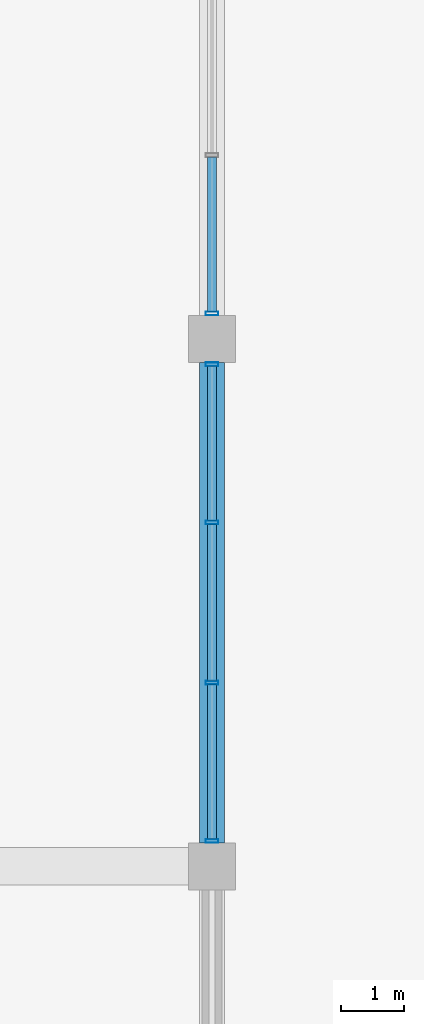
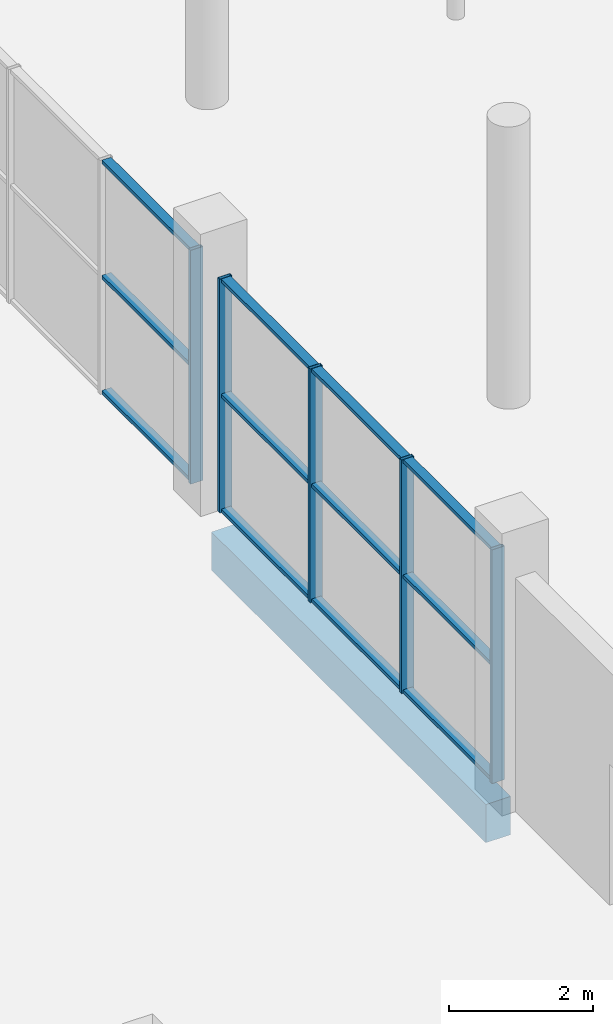
# One storey, part 51 of 130: 17 members, 1 beam, 2 elements without a shape of their own.
"""IFC4 building model written with IfcOpenShell, lengths in metres."""

from ifc_helpers import new_model, si_unit, direction, frame, origin, origin_2d, place, context, subcontext, project, spatial, rectangle, hollow_rectangle, extrude, material, material_profile, profile_set, type_object, element, aggregate, save


model = new_model("IFC4")

# Units and contexts
model_context = context("Model", 3, precision=1e-05, world=origin(), true_north=direction((0.0, 1.0)))
body_context = subcontext(model_context, "Body", "Model", "MODEL_VIEW")
ifc_project = project(units=[si_unit("LENGTHUNIT", "METRE"), si_unit("AREAUNIT", "SQUARE_METRE"), si_unit("VOLUMEUNIT", "CUBIC_METRE"), si_unit("PLANEANGLEUNIT", "RADIAN"), si_unit("MASSUNIT", "GRAM", prefix="KILO"), si_unit("THERMODYNAMICTEMPERATUREUNIT", "KELVIN")], contexts=[model_context])

# Site, building, storey
site_placement = place(None, origin())
site = spatial("IfcSite", under=ifc_project, at=site_placement, CompositionType="ELEMENT")
building_placement = place(site_placement, origin())
building = spatial("IfcBuilding", under=site, at=building_placement, Name="Nduvali Passage Aquatics Centre", CompositionType="ELEMENT")
storey_placement = place(building_placement, origin())
storey = spatial("IfcBuildingStorey", under=building, at=storey_placement, Name="L00", CompositionType="ELEMENT", Elevation=0.0)

# Curtain wall, members
ifc_material_1 = material(Name="Aluminium EN AW-6063 T6", Category="aluminium")
curtain_wall_type = type_object("IfcCurtainWallType", Name="ENV-CW-HALL", PredefinedType="NOTDEFINED", material=ifc_material_1)
curtain_wall_1_placement = place(storey_placement, origin())
curtain_wall_1 = element("IfcCurtainWall", 1, at=curtain_wall_1_placement, inside=storey, type_object=curtain_wall_type, Name="L00 East Passage Pool Hall Lower Glazing 033", PredefinedType="NOTDEFINED")
ifc_material_profile_1 = material_profile(ifc_material_1, hollow_rectangle(XDim=0.06005859375, YDim=0.199951171875, WallThickness=0.00390625, at=origin_2d()), Name="ALU MULLION 60x200x4")
ifc_profile_set_1 = profile_set([ifc_material_profile_1], Name="Aluminium EN AW-6063 T6")
member_type_1 = type_object("IfcMemberType", Name="ENV-MEM-MUL80", PredefinedType="MULLION", material=ifc_profile_set_1)
member_1_placement = place(storey_placement, frame((126.0, 67.60498046875, 0.0), z_axis=(0.0, 0.0, 1.0), x_axis=(0.0, 1.0, 0.0)))
member_1 = element("IfcMember", 2, at=member_1_placement, type_object=member_type_1, Name="East Passage Pool Hall Lower Glazing Mullion 1", PredefinedType="MULLION", context=body_context, shape_type="SweptSolid", body=[
    extrude(hollow_rectangle(XDim=0.06005859375, YDim=0.199951171875, WallThickness=0.00390625, at=origin_2d()), origin(), (0.0, 0.0, 1.0), 3.976318359375),
])
member_2_placement = place(storey_placement, frame((126.0, 70.125, 0.0), z_axis=(0.0, 0.0, 1.0), x_axis=(0.0, 1.0, 0.0)))
member_2 = element("IfcMember", 3, at=member_2_placement, type_object=member_type_1, Name="East Passage Pool Hall Lower Glazing Mullion 2", PredefinedType="MULLION", context=body_context, shape_type="SweptSolid", body=[
    extrude(hollow_rectangle(XDim=0.06005859375, YDim=0.199951171875, WallThickness=0.00390625, at=origin_2d()), origin(), (0.0, 0.0, 1.0), 3.976318359375),
])
member_3_placement = place(storey_placement, frame((126.0, 72.675048828125, 0.0), z_axis=(0.0, 0.0, 1.0), x_axis=(0.0, 1.0, 0.0)))
member_3 = element("IfcMember", 4, at=member_3_placement, type_object=member_type_1, Name="East Passage Pool Hall Lower Glazing Mullion 3", PredefinedType="MULLION", context=body_context, shape_type="SweptSolid", body=[
    extrude(hollow_rectangle(XDim=0.06005859375, YDim=0.199951171875, WallThickness=0.00390625, at=origin_2d()), origin(), (0.0, 0.0, 1.0), 3.976318359375),
])
member_4_placement = place(storey_placement, frame((126.0, 75.195068359375, 0.0), z_axis=(0.0, 0.0, 1.0), x_axis=(0.0, 1.0, 0.0)))
member_4 = element("IfcMember", 5, at=member_4_placement, type_object=member_type_1, Name="East Passage Pool Hall Lower Glazing Mullion 4", PredefinedType="MULLION", context=body_context, shape_type="SweptSolid", body=[
    extrude(hollow_rectangle(XDim=0.06005859375, YDim=0.199951171875, WallThickness=0.00390625, at=origin_2d()), origin(), (0.0, 0.0, 1.0), 3.976318359375),
])

# Curtain wall, member
curtain_wall_2_placement = place(storey_placement, origin())
curtain_wall_2 = element("IfcCurtainWall", 6, at=curtain_wall_2_placement, inside=storey, type_object=curtain_wall_type, Name="L00 East Passage Pool Hall Lower Glazing 037", PredefinedType="NOTDEFINED")
member_5_placement = place(storey_placement, frame((126.0, 76.0048828125, 0.0), z_axis=(0.0, 0.0, 1.0), x_axis=(0.0, 1.0, 0.0)))
member_5 = element("IfcMember", 7, at=member_5_placement, type_object=member_type_1, Name="East Passage Pool Hall Lower Glazing Mullion 1", PredefinedType="MULLION", context=body_context, shape_type="SweptSolid", body=[
    extrude(hollow_rectangle(XDim=0.06005859375, YDim=0.199951171875, WallThickness=0.00390625, at=origin_2d()), origin(), (0.0, 0.0, 1.0), 3.976318359375),
])

# Member
ifc_material_profile_2 = material_profile(ifc_material_1, hollow_rectangle(XDim=0.14990234375, YDim=0.06005859375, WallThickness=0.00390625, at=origin_2d()), Name="ALU TRANSOM 150x60x4")
ifc_profile_set_2 = profile_set([ifc_material_profile_2], Name="Aluminium EN AW-6063 T6")
member_type_2 = type_object("IfcMemberType", Name="ENV-MEM-TRN80", PredefinedType="USERDEFINED", material=ifc_profile_set_2)
member_6_placement = place(storey_placement, frame((126.0, 67.635009765625, 0.030029296875), z_axis=(0.0, 1.0, 0.0), x_axis=(-1.0, 0.0, 0.0)))
member_6 = element("IfcMember", 8, at=member_6_placement, type_object=member_type_2, Name="East Passage Pool Hall Lower Glazing Transom B1-R0", ObjectType="TRANSOM", PredefinedType="USERDEFINED", context=body_context, shape_type="SweptSolid", body=[
    extrude(hollow_rectangle(XDim=0.14990234375, YDim=0.06005859375, WallThickness=0.00390625, at=origin_2d()), origin(), (0.0, 0.0, 1.0), 2.4599609375),
])

member_7_placement = place(storey_placement, frame((126.0, 67.635009765625, 1.98828125), z_axis=(0.0, 1.0, 0.0), x_axis=(-1.0, 0.0, 0.0)))
member_7 = element("IfcMember", 9, at=member_7_placement, type_object=member_type_2, Name="East Passage Pool Hall Lower Glazing Transom B1-R1", ObjectType="TRANSOM", PredefinedType="USERDEFINED", context=body_context, shape_type="SweptSolid", body=[
    extrude(hollow_rectangle(XDim=0.14990234375, YDim=0.06005859375, WallThickness=0.00390625, at=origin_2d()), origin(), (0.0, 0.0, 1.0), 2.4599609375),
])

member_8_placement = place(storey_placement, frame((126.0, 67.635009765625, 3.9462890625), z_axis=(0.0, 1.0, 0.0), x_axis=(-1.0, 0.0, 0.0)))
member_8 = element("IfcMember", 10, at=member_8_placement, type_object=member_type_2, Name="East Passage Pool Hall Lower Glazing Transom B1-R2", ObjectType="TRANSOM", PredefinedType="USERDEFINED", context=body_context, shape_type="SweptSolid", body=[
    extrude(hollow_rectangle(XDim=0.14990234375, YDim=0.06005859375, WallThickness=0.00390625, at=origin_2d()), origin(), (0.0, 0.0, 1.0), 2.4599609375),
])

member_9_placement = place(storey_placement, frame((126.0, 70.155029296875, 0.030029296875), z_axis=(0.0, 1.0, 0.0), x_axis=(-1.0, 0.0, 0.0)))
member_9 = element("IfcMember", 11, at=member_9_placement, type_object=member_type_2, Name="East Passage Pool Hall Lower Glazing Transom B2-R0", ObjectType="TRANSOM", PredefinedType="USERDEFINED", context=body_context, shape_type="SweptSolid", body=[
    extrude(hollow_rectangle(XDim=0.14990234375, YDim=0.06005859375, WallThickness=0.00390625, at=origin_2d()), origin(), (0.0, 0.0, 1.0), 2.489990234375),
])

member_10_placement = place(storey_placement, frame((126.0, 70.155029296875, 1.98828125), z_axis=(0.0, 1.0, 0.0), x_axis=(-1.0, 0.0, 0.0)))
member_10 = element("IfcMember", 12, at=member_10_placement, type_object=member_type_2, Name="East Passage Pool Hall Lower Glazing Transom B2-R1", ObjectType="TRANSOM", PredefinedType="USERDEFINED", context=body_context, shape_type="SweptSolid", body=[
    extrude(hollow_rectangle(XDim=0.14990234375, YDim=0.06005859375, WallThickness=0.00390625, at=origin_2d()), origin(), (0.0, 0.0, 1.0), 2.489990234375),
])

member_11_placement = place(storey_placement, frame((126.0, 70.155029296875, 3.9462890625), z_axis=(0.0, 1.0, 0.0), x_axis=(-1.0, 0.0, 0.0)))
member_11 = element("IfcMember", 13, at=member_11_placement, type_object=member_type_2, Name="East Passage Pool Hall Lower Glazing Transom B2-R2", ObjectType="TRANSOM", PredefinedType="USERDEFINED", context=body_context, shape_type="SweptSolid", body=[
    extrude(hollow_rectangle(XDim=0.14990234375, YDim=0.06005859375, WallThickness=0.00390625, at=origin_2d()), origin(), (0.0, 0.0, 1.0), 2.489990234375),
])

member_12_placement = place(storey_placement, frame((126.0, 72.705078125, 0.030029296875), z_axis=(0.0, 1.0, 0.0), x_axis=(-1.0, 0.0, 0.0)))
member_12 = element("IfcMember", 14, at=member_12_placement, type_object=member_type_2, Name="East Passage Pool Hall Lower Glazing Transom B3-R0", ObjectType="TRANSOM", PredefinedType="USERDEFINED", context=body_context, shape_type="SweptSolid", body=[
    extrude(hollow_rectangle(XDim=0.14990234375, YDim=0.06005859375, WallThickness=0.00390625, at=origin_2d()), origin(), (0.0, 0.0, 1.0), 2.4599609375),
])

member_13_placement = place(storey_placement, frame((126.0, 72.705078125, 1.98828125), z_axis=(0.0, 1.0, 0.0), x_axis=(-1.0, 0.0, 0.0)))
member_13 = element("IfcMember", 15, at=member_13_placement, type_object=member_type_2, Name="East Passage Pool Hall Lower Glazing Transom B3-R1", ObjectType="TRANSOM", PredefinedType="USERDEFINED", context=body_context, shape_type="SweptSolid", body=[
    extrude(hollow_rectangle(XDim=0.14990234375, YDim=0.06005859375, WallThickness=0.00390625, at=origin_2d()), origin(), (0.0, 0.0, 1.0), 2.4599609375),
])

member_14_placement = place(storey_placement, frame((126.0, 72.705078125, 3.9462890625), z_axis=(0.0, 1.0, 0.0), x_axis=(-1.0, 0.0, 0.0)))
member_14 = element("IfcMember", 16, at=member_14_placement, type_object=member_type_2, Name="East Passage Pool Hall Lower Glazing Transom B3-R2", ObjectType="TRANSOM", PredefinedType="USERDEFINED", context=body_context, shape_type="SweptSolid", body=[
    extrude(hollow_rectangle(XDim=0.14990234375, YDim=0.06005859375, WallThickness=0.00390625, at=origin_2d()), origin(), (0.0, 0.0, 1.0), 2.4599609375),
])

aggregate(curtain_wall_1, [member_1, member_2, member_3, member_4, member_6, member_7, member_8, member_9, member_10, member_11, member_12, member_13, member_14])

member_15_placement = place(storey_placement, frame((126.0, 76.034912109375, 0.030029296875), z_axis=(0.0, 1.0, 0.0), x_axis=(-1.0, 0.0, 0.0)))
member_15 = element("IfcMember", 17, at=member_15_placement, type_object=member_type_2, Name="East Passage Pool Hall Lower Glazing Transom B1-R0", ObjectType="TRANSOM", PredefinedType="USERDEFINED", context=body_context, shape_type="SweptSolid", body=[
    extrude(hollow_rectangle(XDim=0.14990234375, YDim=0.06005859375, WallThickness=0.00390625, at=origin_2d()), origin(), (0.0, 0.0, 1.0), 2.460205078125),
])

member_16_placement = place(storey_placement, frame((126.0, 76.034912109375, 1.98828125), z_axis=(0.0, 1.0, 0.0), x_axis=(-1.0, 0.0, 0.0)))
member_16 = element("IfcMember", 18, at=member_16_placement, type_object=member_type_2, Name="East Passage Pool Hall Lower Glazing Transom B1-R1", ObjectType="TRANSOM", PredefinedType="USERDEFINED", context=body_context, shape_type="SweptSolid", body=[
    extrude(hollow_rectangle(XDim=0.14990234375, YDim=0.06005859375, WallThickness=0.00390625, at=origin_2d()), origin(), (0.0, 0.0, 1.0), 2.460205078125),
])

member_17_placement = place(storey_placement, frame((126.0, 76.034912109375, 3.9462890625), z_axis=(0.0, 1.0, 0.0), x_axis=(-1.0, 0.0, 0.0)))
member_17 = element("IfcMember", 19, at=member_17_placement, type_object=member_type_2, Name="East Passage Pool Hall Lower Glazing Transom B1-R2", ObjectType="TRANSOM", PredefinedType="USERDEFINED", context=body_context, shape_type="SweptSolid", body=[
    extrude(hollow_rectangle(XDim=0.14990234375, YDim=0.06005859375, WallThickness=0.00390625, at=origin_2d()), origin(), (0.0, 0.0, 1.0), 2.460205078125),
])

aggregate(curtain_wall_2, [member_5, member_15, member_16, member_17])

# Beam
ifc_material_2 = material(Name="Concrete C40/50", Category="concrete")
ifc_material_profile_3 = material_profile(ifc_material_2, rectangle(XDim=0.39990234375, YDim=0.64990234375, at=origin_2d()), Name="RC 400x650")
ifc_profile_set_3 = profile_set([ifc_material_profile_3], Name="Concrete C40/50")
beam_type = type_object("IfcBeamType", Name="STR-SPN-RC4065-EXT", PredefinedType="SPANDREL", material=ifc_profile_set_3)
beam_placement = place(storey_placement, frame((126.0, 67.574951171875, -0.64501953125), z_axis=(0.0, 1.0, 0.0), x_axis=(-1.0, 0.0, 0.0)))
element("IfcBeam", 20, at=beam_placement, inside=storey, type_object=beam_type, Name="L00 Primary Y-Girder SP1E-0195", PredefinedType="SPANDREL", context=body_context, shape_type="SweptSolid", body=[
    extrude(rectangle(XDim=0.39990234375, YDim=0.64990234375, at=origin_2d()), origin(), (0.0, 0.0, 1.0), 7.650146484375),
])

save(model, "model.ifc")
